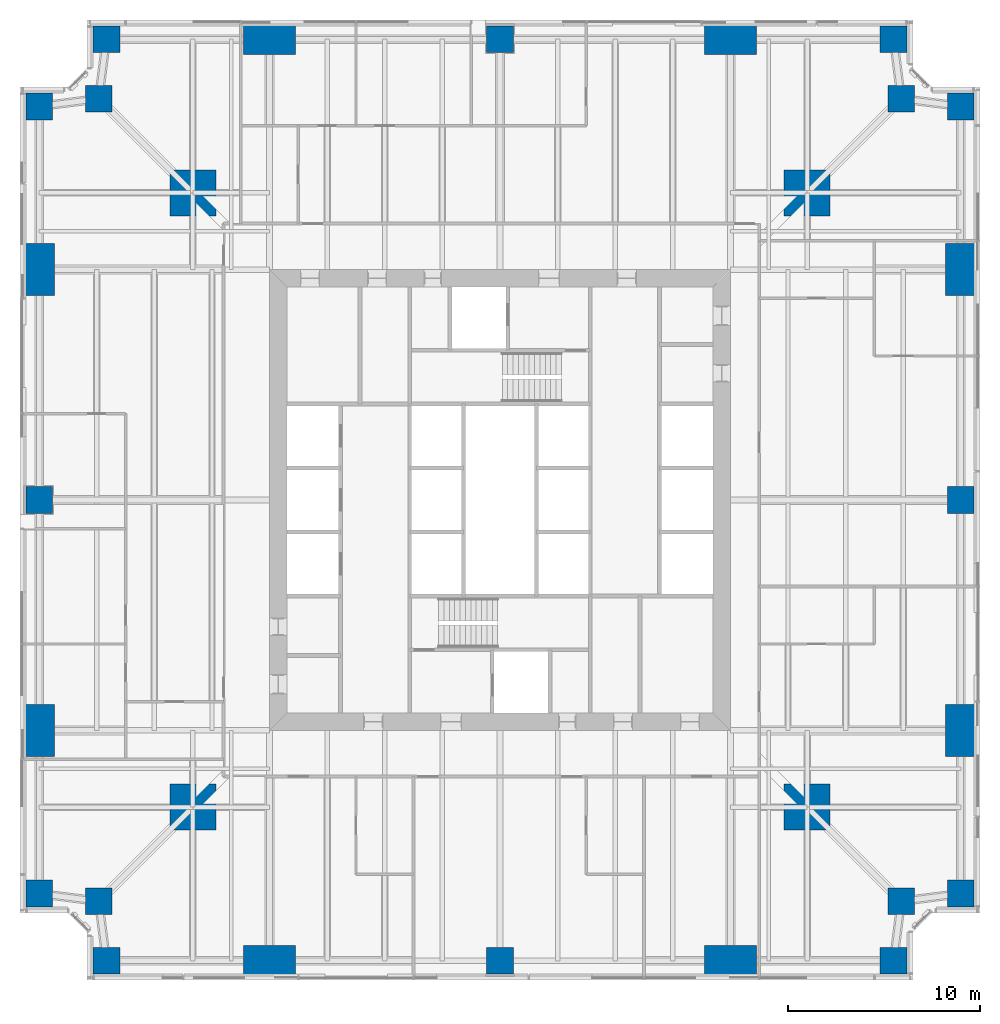
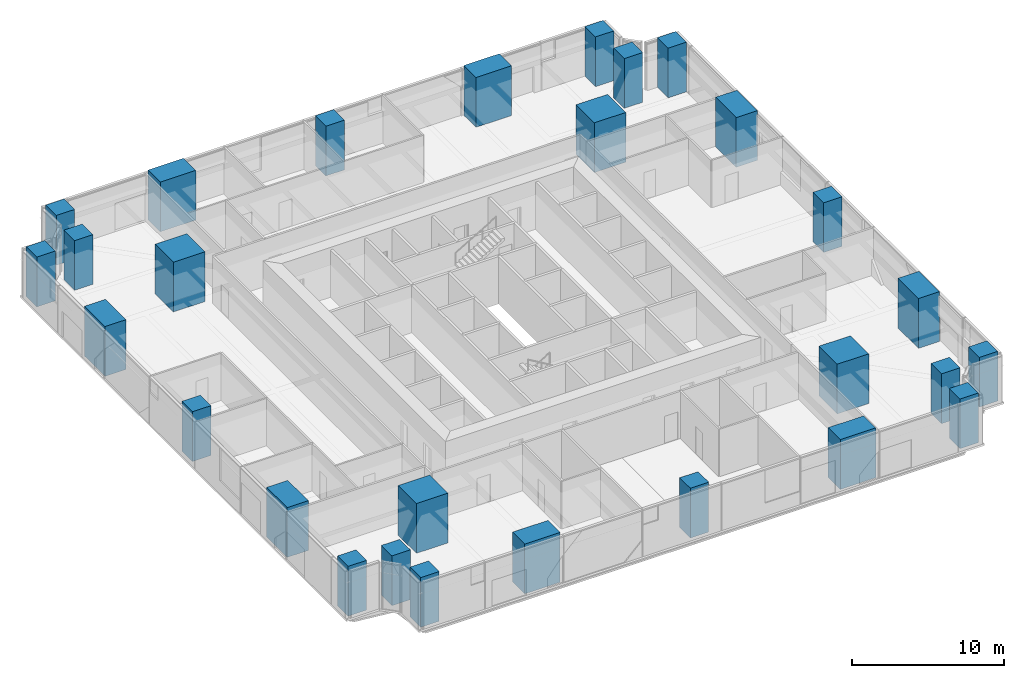
# One storey, part 1 of 14: 28 columns.
"""IFC4 building model written with IfcOpenShell, lengths in metres."""

from ifc_helpers import new_model, si_unit, direction, frame, origin, origin_2d, place, context, subcontext, project, spatial, rectangle, extrude, material, material_profile, profile_set, type_object, element, save


model = new_model("IFC4")

# Units and contexts
model_context = context("Model", 3, precision=1e-05, world=origin(), true_north=direction((0.0, 1.0)))
body_context = subcontext(model_context, "Body", "Model", "MODEL_VIEW")
ifc_project = project(units=[si_unit("LENGTHUNIT", "METRE"), si_unit("AREAUNIT", "SQUARE_METRE"), si_unit("VOLUMEUNIT", "CUBIC_METRE"), si_unit("PLANEANGLEUNIT", "RADIAN"), si_unit("MASSUNIT", "GRAM", prefix="KILO")], contexts=[model_context])

# Site, building, storey
site_placement = place(None, origin())
site = spatial("IfcSite", under=ifc_project, at=site_placement, CompositionType="ELEMENT")
building_placement = place(site_placement, origin())
building = spatial("IfcBuilding", under=site, at=building_placement, Name="Fenwick Lantern Interchange", CompositionType="ELEMENT")
storey_placement = place(building_placement, frame((0.0, 0.0, 87.0)))
storey = spatial("IfcBuildingStorey", under=building, at=storey_placement, Name="L20", CompositionType="ELEMENT", Elevation=87.0)

# Columns
ifc_material = material(Name="Concrete f'c 70 MPa", Category="concrete")
ifc_material_profile_1 = material_profile(ifc_material, rectangle(XDim=2.39990234375, YDim=2.39990234375, at=origin_2d()), Name="RC2400X2400")
ifc_profile_set_1 = profile_set([ifc_material_profile_1], Name="Concrete f'c 70 MPa")
column_type_1 = type_object("IfcColumnType", Name="MEGA COLUMN RC2400X2400", PredefinedType="COLUMN", material=ifc_profile_set_1)
for number, where, z_axis, x_axis, name in (
    (1, (9.0, 9.0, 0.0), (0.0, 0.0, 1.0), (1.0, 0.0, 0.0), "L20/M1"),
    (2, (41.0, 9.0, 0.0), (0.0, 0.0, 1.0), (1.0, 0.0, 0.0), "L20/M2"),
    (3, (41.0, 41.0, 0.0), (0.0, 0.0, 1.0), (1.0, 0.0, 0.0), "L20/M3"),
    (4, (9.0, 41.0, 0.0), (0.0, 0.0, 1.0), (1.0, 0.0, 0.0), "L20/M4"),
):
    element("IfcColumn", number, at=place(storey_placement, frame(where, z_axis=z_axis, x_axis=x_axis)), inside=storey, type_object=column_type_1, Name=name, PredefinedType="COLUMN", context=body_context, shape_type="SweptSolid", body=[
        extrude(rectangle(XDim=2.39990234375, YDim=2.39990234375, at=origin_2d()), origin(), (0.0, 0.0, 1.0), 4.0),
    ])
ifc_material_profile_2 = material_profile(ifc_material, rectangle(XDim=1.39990234375, YDim=1.39990234375, at=origin_2d()), Name="RC1400X1400")
ifc_profile_set_2 = profile_set([ifc_material_profile_2], Name="Concrete f'c 70 MPa")
column_type_2 = type_object("IfcColumnType", Name="PERIMETER COLUMN RC1400X1400", PredefinedType="COLUMN", material=ifc_profile_set_2)
for number, where, z_axis, x_axis, name in (
    (5, (4.5, 1.0, 0.0), (0.0, 0.0, 1.0), (1.0, 0.0, 0.0), "L20/CS1"),
    (6, (25.0, 1.0, 0.0), (0.0, 0.0, 1.0), (1.0, 0.0, 0.0), "L20/CS3"),
    (7, (45.5, 1.0, 0.0), (0.0, 0.0, 1.0), (1.0, 0.0, 0.0), "L20/CS5"),
    (8, (45.89990234375, 4.10009765625, 0.0), (0.0, 0.0, 1.0), (1.0, 0.0, 0.0), "L20/CSR"),
    (9, (49.0, 4.5, 0.0), (0.0, 0.0, 1.0), (1.0, 0.0, 0.0), "L20/CE1"),
    (10, (49.0, 25.0, 0.0), (0.0, 0.0, 1.0), (1.0, 0.0, 0.0), "L20/CE3"),
    (11, (49.0, 45.5, 0.0), (0.0, 0.0, 1.0), (1.0, 0.0, 0.0), "L20/CE5"),
    (12, (45.89990234375, 45.89990234375, 0.0), (0.0, 0.0, 1.0), (1.0, 0.0, 0.0), "L20/CER"),
    (13, (45.5, 49.0, 0.0), (0.0, 0.0, 1.0), (1.0, 0.0, 0.0), "L20/CN1"),
    (14, (25.0, 49.0, 0.0), (0.0, 0.0, 1.0), (1.0, 0.0, 0.0), "L20/CN3"),
    (15, (4.5, 49.0, 0.0), (0.0, 0.0, 1.0), (1.0, 0.0, 0.0), "L20/CN5"),
    (16, (4.10009765625, 45.89990234375, 0.0), (0.0, 0.0, 1.0), (1.0, 0.0, 0.0), "L20/CNR"),
    (17, (1.0, 45.5, 0.0), (0.0, 0.0, 1.0), (1.0, 0.0, 0.0), "L20/CW1"),
    (18, (1.0, 25.0, 0.0), (0.0, 0.0, 1.0), (1.0, 0.0, 0.0), "L20/CW3"),
    (19, (1.0, 4.5, 0.0), (0.0, 0.0, 1.0), (1.0, 0.0, 0.0), "L20/CW5"),
    (20, (4.10009765625, 4.10009765625, 0.0), (0.0, 0.0, 1.0), (1.0, 0.0, 0.0), "L20/CWR"),
):
    element("IfcColumn", number, at=place(storey_placement, frame(where, z_axis=z_axis, x_axis=x_axis)), inside=storey, type_object=column_type_2, Name=name, PredefinedType="COLUMN", context=body_context, shape_type="SweptSolid", body=[
        extrude(rectangle(XDim=1.39990234375, YDim=1.39990234375, at=origin_2d()), origin(), (0.0, 0.0, 1.0), 4.0),
    ])
ifc_material_profile_3 = material_profile(ifc_material, rectangle(XDim=1.60009765625, YDim=2.699951171875, at=origin_2d()), Name="RC1600X2700")
ifc_profile_set_3 = profile_set([ifc_material_profile_3], Name="Concrete f'c 70 MPa")
column_type_3 = type_object("IfcColumnType", Name="PERIMETER COLUMN RC1600X2700", PredefinedType="COLUMN", material=ifc_profile_set_3)
for number, where, z_axis, x_axis, name in (
    (21, (49.0, 13.0, 0.0), (0.0, 0.0, 1.0), (1.0, 0.0, 0.0), "L20/CE2"),
    (22, (49.0, 37.0, 0.0), (0.0, 0.0, 1.0), (1.0, 0.0, 0.0), "L20/CE4"),
    (23, (1.0, 37.0, 0.0), (0.0, 0.0, 1.0), (1.0, 0.0, 0.0), "L20/CW2"),
    (24, (1.0, 13.0, 0.0), (0.0, 0.0, 1.0), (1.0, 0.0, 0.0), "L20/CW4"),
):
    element("IfcColumn", number, at=place(storey_placement, frame(where, z_axis=z_axis, x_axis=x_axis)), inside=storey, type_object=column_type_3, Name=name, PredefinedType="COLUMN", context=body_context, shape_type="SweptSolid", body=[
        extrude(rectangle(XDim=1.60009765625, YDim=2.699951171875, at=origin_2d()), origin(), (0.0, 0.0, 1.0), 4.0),
    ])
ifc_material_profile_4 = material_profile(ifc_material, rectangle(XDim=2.699951171875, YDim=1.60009765625, at=origin_2d()), Name="RC2700X1600")
ifc_profile_set_4 = profile_set([ifc_material_profile_4], Name="Concrete f'c 70 MPa")
column_type_4 = type_object("IfcColumnType", Name="PERIMETER COLUMN RC2700X1600", PredefinedType="COLUMN", material=ifc_profile_set_4)
for number, where, z_axis, x_axis, name in (
    (25, (13.0, 1.0, 0.0), (0.0, 0.0, 1.0), (1.0, 0.0, 0.0), "L20/CS2"),
    (26, (37.0, 1.0, 0.0), (0.0, 0.0, 1.0), (1.0, 0.0, 0.0), "L20/CS4"),
    (27, (37.0, 49.0, 0.0), (0.0, 0.0, 1.0), (1.0, 0.0, 0.0), "L20/CN2"),
    (28, (13.0, 49.0, 0.0), (0.0, 0.0, 1.0), (1.0, 0.0, 0.0), "L20/CN4"),
):
    element("IfcColumn", number, at=place(storey_placement, frame(where, z_axis=z_axis, x_axis=x_axis)), inside=storey, type_object=column_type_4, Name=name, PredefinedType="COLUMN", context=body_context, shape_type="SweptSolid", body=[
        extrude(rectangle(XDim=2.699951171875, YDim=1.60009765625, at=origin_2d()), origin(), (0.0, 0.0, 1.0), 4.0),
    ])

save(model, "model.ifc")
